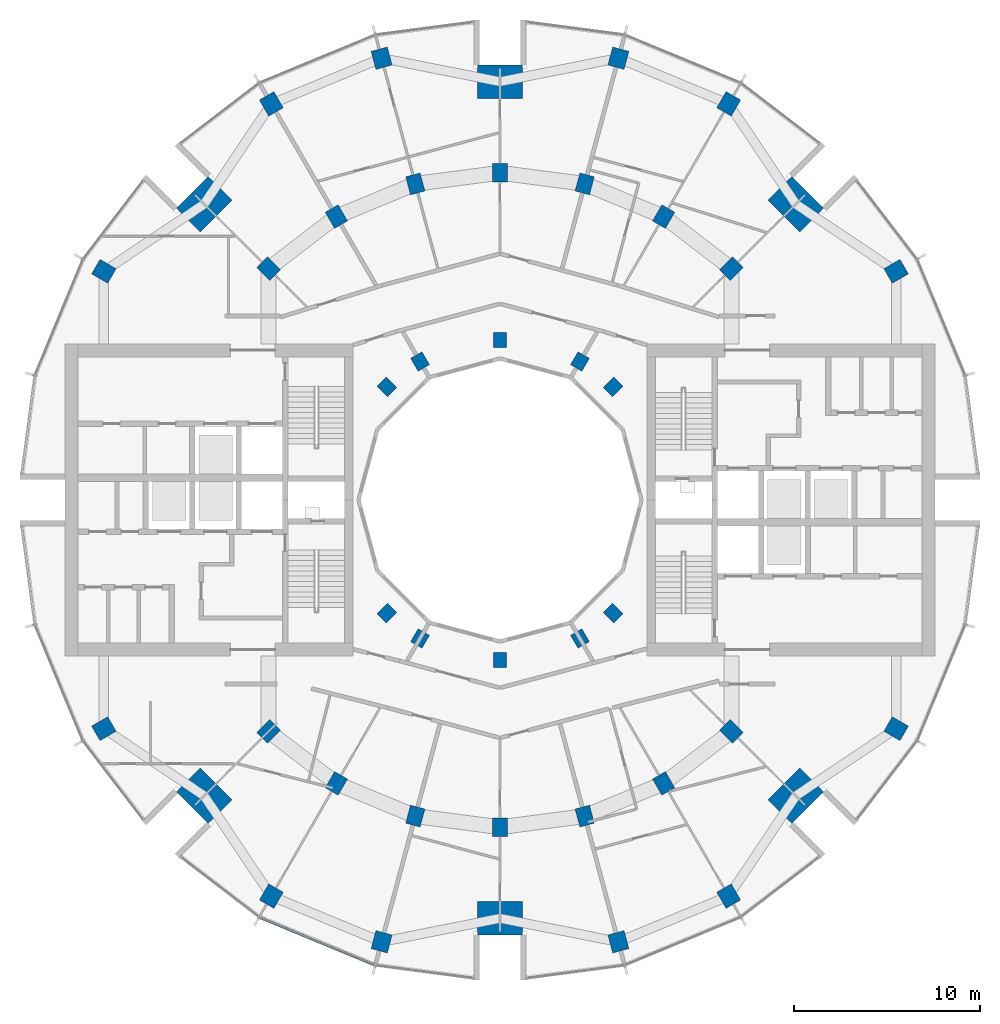
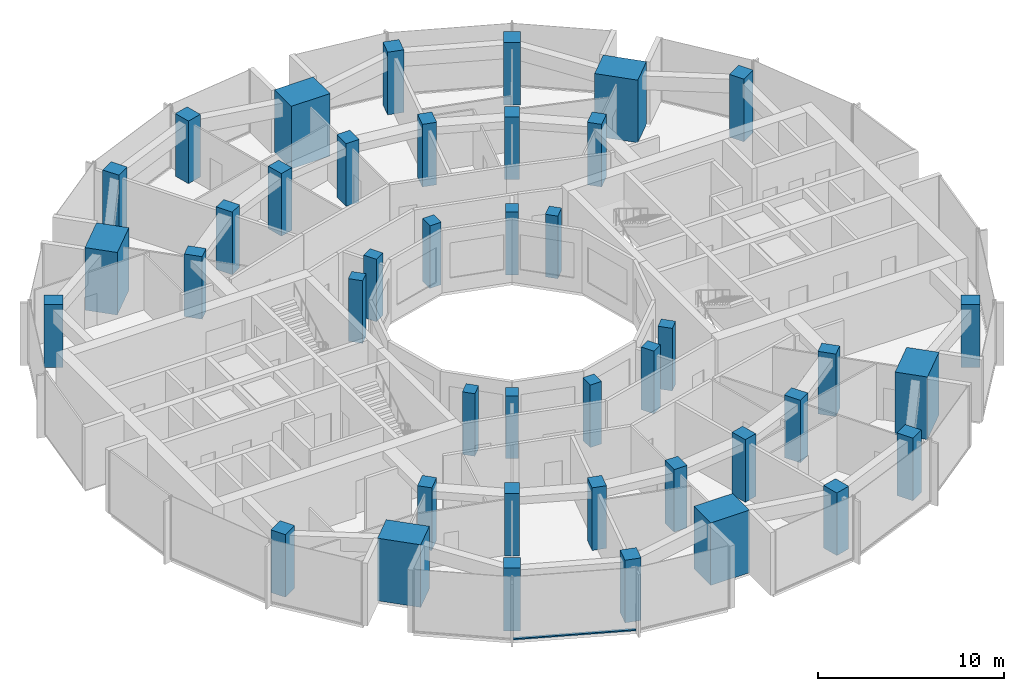
# One storey, part 1 of 15: 42 columns, 1 member, 1 element without a shape of its own.
"""IFC4 building model written with IfcOpenShell, lengths in metres."""

from ifc_helpers import new_model, si_unit, direction, frame, origin, origin_2d, place, context, subcontext, project, spatial, rectangle, extrude, material, layer, layer_set, material_profile, profile_set, type_object, element, aggregate, save


model = new_model("IFC4")

# Units and contexts
model_context = context("Model", 3, precision=1e-05, world=origin(), true_north=direction((0.0, 1.0)))
body_context = subcontext(model_context, "Body", "Model", "MODEL_VIEW")
ifc_project = project(units=[si_unit("LENGTHUNIT", "METRE"), si_unit("AREAUNIT", "SQUARE_METRE"), si_unit("VOLUMEUNIT", "CUBIC_METRE"), si_unit("PLANEANGLEUNIT", "RADIAN"), si_unit("MASSUNIT", "GRAM", prefix="KILO")], contexts=[model_context])

# Site, building, storey
site_placement = place(None, origin())
site = spatial("IfcSite", under=ifc_project, at=site_placement, CompositionType="ELEMENT")
building_placement = place(site_placement, origin())
building = spatial("IfcBuilding", under=site, at=building_placement, Name="Torre Brocal", CompositionType="ELEMENT")
storey_placement = place(building_placement, frame((0.0, 0.0, 170.0)))
storey = spatial("IfcBuildingStorey", under=building, at=storey_placement, Name="L39", CompositionType="ELEMENT", Elevation=170.0)

# Columns
ifc_material_1 = material(Name="Concrete C70", Category="concrete")
ifc_material_profile_1 = material_profile(ifc_material_1, rectangle(XDim=1.0, YDim=0.800048828125, at=origin_2d()), Name="RC 1000X800")
ifc_profile_set_1 = profile_set([ifc_material_profile_1], Name="Concrete C70")
column_type_1 = type_object("IfcColumnType", Name="RC COLUMN 1000X800 C70", PredefinedType="COLUMN", material=ifc_profile_set_1)
for number, where, z_axis, x_axis, name in (
    (1, (92.445068359375, 87.445068359375, 0.0), (0.0, 0.0, 1.0), (0.707106781187, 0.707106781187, 0.0), "Column C-M03"),
    (2, (88.800048828125, 90.241943359375, 0.0), (0.0, 0.0, 1.0), (0.5, 0.866025403784, 0.0), "Column C-M04"),
    (3, (84.55517578125, 92.000244140625, 0.0), (0.0, 0.0, 1.0), (0.258819045103, 0.965925826289, 0.0), "Column C-M05"),
    (4, (80.0, 92.60009765625, 0.0), (0.0, 0.0, 1.0), (0.0, 1.0, 0.0), "Column C-M06"),
    (5, (75.44482421875, 92.000244140625, 0.0), (0.0, 0.0, 1.0), (-0.258819045103, 0.965925826289, 0.0), "Column C-M07"),
    (6, (71.199951171875, 90.241943359375, 0.0), (0.0, 0.0, 1.0), (-0.5, 0.866025403784, 0.0), "Column C-M08"),
    (7, (67.554931640625, 87.445068359375, 0.0), (0.0, 0.0, 1.0), (-0.707106781187, 0.707106781187, 0.0), "Column C-M09"),
    (8, (67.554931640625, 62.554931640625, 0.0), (0.0, 0.0, 1.0), (-0.707106781187, -0.707106781187, 0.0), "Column C-M15"),
    (9, (71.199951171875, 59.758056640625, 0.0), (0.0, 0.0, 1.0), (-0.5, -0.866025403784, 0.0), "Column C-M16"),
    (10, (75.44482421875, 57.999755859375, 0.0), (0.0, 0.0, 1.0), (-0.258819045103, -0.965925826289, 0.0), "Column C-M17"),
    (11, (80.0, 57.39990234375, 0.0), (0.0, 0.0, 1.0), (0.0, -1.0, 0.0), "Column C-M18"),
    (12, (84.55517578125, 57.999755859375, 0.0), (0.0, 0.0, 1.0), (0.258819045103, -0.965925826289, 0.0), "Column C-M19"),
    (13, (88.800048828125, 59.758056640625, 0.0), (0.0, 0.0, 1.0), (0.5, -0.866025403784, 0.0), "Column C-M20"),
    (14, (92.445068359375, 62.554931640625, 0.0), (0.0, 0.0, 1.0), (0.707106781187, -0.707106781187, 0.0), "Column C-M21"),
):
    element("IfcColumn", number, at=place(storey_placement, frame(where, z_axis=z_axis, x_axis=x_axis)), inside=storey, type_object=column_type_1, Name=name, PredefinedType="COLUMN", context=body_context, shape_type="SweptSolid", body=[
        extrude(rectangle(XDim=1.0, YDim=0.800048828125, at=origin_2d()), origin(), (0.0, 0.0, 1.0), 4.10009765625),
    ])
ifc_material_2 = material(Name="Concrete C70", Category="concrete")
ifc_material_profile_2 = material_profile(ifc_material_2, rectangle(XDim=1.0, YDim=0.89990234375, at=origin_2d()), Name="RC 1000X900")
ifc_profile_set_2 = profile_set([ifc_material_profile_2], Name="Concrete C70")
column_type_2 = type_object("IfcColumnType", Name="RC COLUMN 1000X900 C70", PredefinedType="COLUMN", material=ifc_profile_set_2)
for number, where, z_axis, x_axis, name in (
    (15, (101.30419921875, 87.300048828125, 0.0), (0.0, 0.0, 1.0), (0.866025403784, 0.5, 0.0), "Column C-O02"),
    (16, (92.300048828125, 96.30419921875, 0.0), (0.0, 0.0, 1.0), (0.5, 0.866025403784, 0.0), "Column C-O04"),
    (17, (86.366943359375, 98.76171875, 0.0), (0.0, 0.0, 1.0), (0.258819045103, 0.965925826289, 0.0), "Column C-O05"),
    (18, (73.633056640625, 98.76171875, 0.0), (0.0, 0.0, 1.0), (-0.258819045103, 0.965925826289, 0.0), "Column C-O07"),
    (19, (67.699951171875, 96.30419921875, 0.0), (0.0, 0.0, 1.0), (-0.5, 0.866025403784, 0.0), "Column C-O08"),
    (20, (58.69580078125, 87.300048828125, 0.0), (0.0, 0.0, 1.0), (-0.866025403784, 0.5, 0.0), "Column C-O10"),
    (21, (58.69580078125, 62.699951171875, 0.0), (0.0, 0.0, 1.0), (-0.866025403784, -0.5, 0.0), "Column C-O14"),
    (22, (67.699951171875, 53.69580078125, 0.0), (0.0, 0.0, 1.0), (-0.5, -0.866025403784, 0.0), "Column C-O16"),
    (23, (73.633056640625, 51.23828125, 0.0), (0.0, 0.0, 1.0), (-0.258819045103, -0.965925826289, 0.0), "Column C-O17"),
    (24, (86.366943359375, 51.23828125, 0.0), (0.0, 0.0, 1.0), (0.258819045103, -0.965925826289, 0.0), "Column C-O19"),
    (25, (92.300048828125, 53.69580078125, 0.0), (0.0, 0.0, 1.0), (0.5, -0.866025403784, 0.0), "Column C-O20"),
    (26, (101.30419921875, 62.699951171875, 0.0), (0.0, 0.0, 1.0), (0.866025403784, -0.5, 0.0), "Column C-O22"),
):
    element("IfcColumn", number, at=place(storey_placement, frame(where, z_axis=z_axis, x_axis=x_axis)), inside=storey, type_object=column_type_2, Name=name, PredefinedType="COLUMN", context=body_context, shape_type="SweptSolid", body=[
        extrude(rectangle(XDim=1.0, YDim=0.89990234375, at=origin_2d()), origin(), (0.0, 0.0, 1.0), 4.10009765625),
    ])
ifc_material_3 = material(Name="Concrete C70", Category="concrete")
ifc_material_profile_3 = material_profile(ifc_material_3, rectangle(XDim=1.800048828125, YDim=2.39990234375, at=origin_2d()), Name="RC 1800X2400")
ifc_profile_set_3 = profile_set([ifc_material_profile_3], Name="Concrete C70")
column_type_3 = type_object("IfcColumnType", Name="RC COLUMN 1800X2400 C70", PredefinedType="COLUMN", material=ifc_profile_set_3)
for number, where, z_axis, x_axis, name in (
    (27, (95.909912109375, 90.909912109375, 0.0), (0.0, 0.0, 1.0), (0.707106781187, 0.707106781187, 0.0), "Column MC-1"),
    (28, (80.0, 97.5, 0.0), (0.0, 0.0, 1.0), (0.0, 1.0, 0.0), "Column MC-2"),
    (29, (64.090087890625, 90.909912109375, 0.0), (0.0, 0.0, 1.0), (-0.707106781187, 0.707106781187, 0.0), "Column MC-3"),
    (30, (64.090087890625, 59.090087890625, 0.0), (0.0, 0.0, 1.0), (-0.707106781187, -0.707106781187, 0.0), "Column MC-5"),
    (31, (80.0, 52.5, 0.0), (0.0, 0.0, 1.0), (0.0, -1.0, 0.0), "Column MC-6"),
    (32, (95.909912109375, 59.090087890625, 0.0), (0.0, 0.0, 1.0), (0.707106781187, -0.707106781187, 0.0), "Column MC-7"),
):
    element("IfcColumn", number, at=place(storey_placement, frame(where, z_axis=z_axis, x_axis=x_axis)), inside=storey, type_object=column_type_3, Name=name, PredefinedType="COLUMN", context=body_context, shape_type="SweptSolid", body=[
        extrude(rectangle(XDim=1.800048828125, YDim=2.39990234375, at=origin_2d()), origin(), (0.0, 0.0, 1.0), 4.10009765625),
    ])
ifc_material_4 = material(Name="Concrete C70", Category="concrete")
ifc_material_profile_4 = material_profile(ifc_material_4, rectangle(XDim=0.800048828125, YDim=0.699951171875, at=origin_2d()), Name="RC 800X700")
ifc_profile_set_4 = profile_set([ifc_material_profile_4], Name="Concrete C70")
column_type_4 = type_object("IfcColumnType", Name="RC COLUMN 800X700 C70", PredefinedType="COLUMN", material=ifc_profile_set_4)
for number, where, z_axis, x_axis, name in (
    (33, (86.0810546875, 81.0810546875, 0.0), (0.0, 0.0, 1.0), (0.707106781187, 0.707106781187, 0.0), "Column C-I03"),
    (34, (84.300048828125, 82.44775390625, 0.0), (0.0, 0.0, 1.0), (0.5, 0.866025403784, 0.0), "Column C-I04"),
    (35, (80.0, 83.60009765625, 0.0), (0.0, 0.0, 1.0), (0.0, 1.0, 0.0), "Column C-I06"),
    (36, (75.699951171875, 82.44775390625, 0.0), (0.0, 0.0, 1.0), (-0.5, 0.866025403784, 0.0), "Column C-I08"),
    (37, (73.9189453125, 81.0810546875, 0.0), (0.0, 0.0, 1.0), (-0.707106781187, 0.707106781187, 0.0), "Column C-I09"),
    (38, (73.9189453125, 68.9189453125, 0.0), (0.0, 0.0, 1.0), (-0.707106781187, -0.707106781187, 0.0), "Column C-I15"),
    (39, (75.699951171875, 67.55224609375, 0.0), (0.0, 0.0, 1.0), (-0.5, -0.866025403784, 0.0), "Column C-I16"),
    (40, (80.0, 66.39990234375, 0.0), (0.0, 0.0, 1.0), (0.0, -1.0, 0.0), "Column C-I18"),
    (41, (84.300048828125, 67.55224609375, 0.0), (0.0, 0.0, 1.0), (0.5, -0.866025403784, 0.0), "Column C-I20"),
    (42, (86.0810546875, 68.9189453125, 0.0), (0.0, 0.0, 1.0), (0.707106781187, -0.707106781187, 0.0), "Column C-I21"),
):
    element("IfcColumn", number, at=place(storey_placement, frame(where, z_axis=z_axis, x_axis=x_axis)), inside=storey, type_object=column_type_4, Name=name, PredefinedType="COLUMN", context=body_context, shape_type="SweptSolid", body=[
        extrude(rectangle(XDim=0.800048828125, YDim=0.699951171875, at=origin_2d()), origin(), (0.0, 0.0, 1.0), 4.10009765625),
    ])

# Curtain wall, member
ifc_material_5 = material(Name="Aluminium and glass", Category="aluminium")
ifc_layer = layer(ifc_material_5, 0.199951171875)
ifc_layer_set = layer_set([ifc_layer], Name="Aluminium and glass")
curtain_wall_type = type_object("IfcCurtainWallType", Name="CW-1 CURTAIN WALL 4100 HIGH", PredefinedType="NOTDEFINED", material=ifc_layer_set)
curtain_wall_placement = place(storey_placement, origin())
curtain_wall = element("IfcCurtainWall", 43, at=curtain_wall_placement, inside=storey, type_object=curtain_wall_type, Name="CW-1 RUN 17", PredefinedType="NOTDEFINED")
ifc_material_6 = material(Name="Aluminium, dark anodised", Category="aluminium")
ifc_material_profile_5 = material_profile(ifc_material_6, rectangle(XDim=0.159912109375, YDim=0.080078125, at=origin_2d()), Name="CW-1 TRANSOM 160X80")
ifc_profile_set_5 = profile_set([ifc_material_profile_5], Name="Aluminium, dark anodised")
member_type = type_object("IfcMemberType", Name="CW-1 TRANSOM 160X80", PredefinedType="USERDEFINED", material=ifc_profile_set_5)
member_placement = place(storey_placement, frame((67.10595703125, 52.547607421875, 0.0400390625), z_axis=(0.923887344364, -0.38266457234, 0.0), x_axis=(0.38266457234, 0.923887344364, 0.0)))
member = element("IfcMember", 44, at=member_placement, type_object=member_type, Name="CW1-4 transom 1.1", ObjectType="TRANSOM", PredefinedType="USERDEFINED", context=body_context, shape_type="SweptSolid", body=[
    extrude(rectangle(XDim=0.159912109375, YDim=0.080078125, at=origin_2d()), origin(), (0.0, 0.0, 1.0), 6.640869140625),
])
aggregate(curtain_wall, [member])

save(model, "model.ifc")
